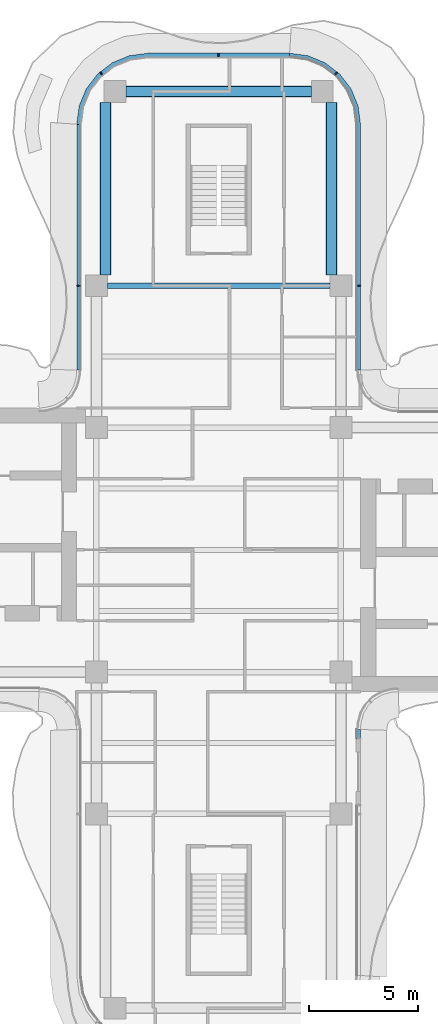
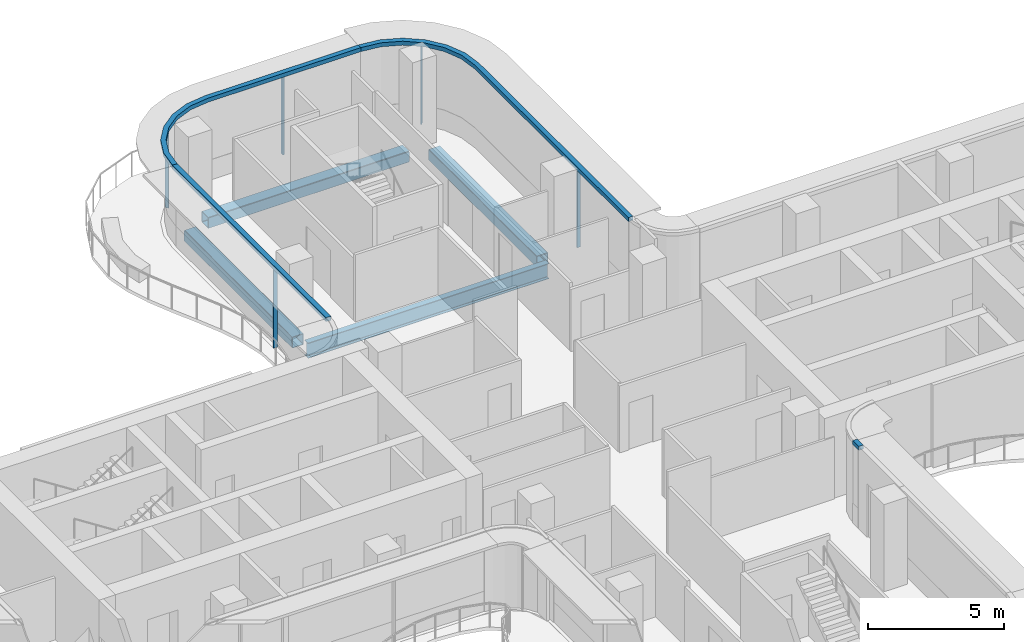
# One storey, part 7 of 17: 9 members, 4 beams, 4 elements without a shape of their own.
"""IFC4 building model written with IfcOpenShell, lengths in metres."""

import ifcopenshell
import ifcopenshell.guid

model = None  # the IFC model being written
_history = None  # IfcOwnerHistory: only IFC2X3 demands one
_inside = {}  # id of a spatial element -> (the spatial element, [elements in it])
_under = {}  # id of a project, library or spatial element -> (it, [spatial elements below it])
_declared = {}  # id of a project -> (the project, [libraries it declares])
_typed = {}  # id of a type object -> (the type object, [elements of that type])
_made_of = {}  # id of a material, layer set ... -> (it, [elements and type objects made of it])


def new_model(schema):
    """Start an empty IFC model of exactly this schema.

    Asked for "IFC4X3", IfcOpenShell would pick the latest addendum, in which some entities
    have other attributes; the version numbers below select the first issue.
    IFC2X3 requires an IfcOwnerHistory on every rooted entity: one is made here for all.
    """
    global model, _history
    if schema == "IFC4X3":
        model = ifcopenshell.file(schema_version=(4, 3, 0, 0))
    else:
        model = ifcopenshell.file(schema=schema)
    _inside.clear()
    _under.clear()
    _declared.clear()
    _typed.clear()
    _made_of.clear()
    _history = None
    if model.schema == "IFC2X3":
        org = make("IfcOrganization", Name="unknown")
        user = make(
            "IfcPersonAndOrganization",
            ThePerson=make("IfcPerson", FamilyName="unknown"),
            TheOrganization=org,
        )
        app = make(
            "IfcApplication",
            ApplicationDeveloper=org,
            Version="unknown",
            ApplicationFullName="unknown",
            ApplicationIdentifier="unknown",
        )
        _history = make(
            "IfcOwnerHistory",
            OwningUser=user,
            OwningApplication=app,
            ChangeAction="ADDED",
            CreationDate=0,
        )
    return model


def make(cls, **values):
    """One entity of the class cls with the attributes given. An attribute that is None is left unset."""
    return model.create_entity(
        cls, **{name: value for name, value in values.items() if value is not None}
    )


def rooted(cls, **values):
    """An entity with a GlobalId (a new one), such as an element, a storey or a relation."""
    return make(cls, GlobalId=ifcopenshell.guid.new(), OwnerHistory=_history, **values)


def si_unit(unit_type, name, prefix=None):
    """IfcSIUnit, for example si_unit("LENGTHUNIT", "METRE", prefix="MILLI")."""
    return make("IfcSIUnit", UnitType=unit_type, Prefix=prefix, Name=name)


def assignment(units):
    """IfcUnitAssignment: the units of a project."""
    return None if units is None else make("IfcUnitAssignment", Units=units)


def point(xyz):
    """IfcCartesianPoint."""
    return None if xyz is None else make("IfcCartesianPoint", Coordinates=xyz)


def direction(xyz):
    """IfcDirection."""
    return None if xyz is None else make("IfcDirection", DirectionRatios=xyz)


def frame(location, z_axis=None, x_axis=None):
    """IfcAxis2Placement3D, a coordinate frame: its origin and axes. An axis left out is left unset."""
    return make(
        "IfcAxis2Placement3D",
        Location=point(location),
        Axis=direction(z_axis),
        RefDirection=direction(x_axis),
    )


def frame_2d(location, x_axis=None):
    """IfcAxis2Placement2D, a coordinate frame in the plane: its origin and x axis."""
    return make(
        "IfcAxis2Placement2D", Location=point(location), RefDirection=direction(x_axis)
    )


def origin():
    """The frame at (0, 0, 0) with its axes left unset."""
    return frame((0.0, 0.0, 0.0))


def origin_2d():
    """The frame at (0, 0) in the plane with its x axis left unset."""
    return frame_2d((0.0, 0.0))


def place(relative_to, where):
    """IfcLocalPlacement: puts the frame where relative to a parent placement (None: the world)."""
    return make(
        "IfcLocalPlacement", PlacementRelTo=relative_to, RelativePlacement=where
    )


def context(
    kind, dimensions, precision=None, world=None, true_north=None, identifier=None
):
    """IfcGeometricRepresentationContext, for example the 3D "Model" context."""
    return make(
        "IfcGeometricRepresentationContext",
        ContextIdentifier=identifier,
        ContextType=kind,
        CoordinateSpaceDimension=dimensions,
        Precision=precision,
        WorldCoordinateSystem=world,
        TrueNorth=true_north,
    )


def subcontext(parent, identifier, kind, view, scale=None):
    """IfcGeometricRepresentationSubContext, for example "Body" below "Model"."""
    return make(
        "IfcGeometricRepresentationSubContext",
        ContextIdentifier=identifier,
        ContextType=kind,
        ParentContext=parent,
        TargetScale=scale,
        TargetView=view,
    )


def project(units=None, contexts=None):
    """IfcProject with its units and contexts."""
    return rooted(
        "IfcProject",
        Name="project",
        RepresentationContexts=contexts,
        UnitsInContext=assignment(units),
    )


def spatial(cls, under=None, at=None, **own):
    """A site, building, storey or space (cls), placed at a placement, below another one or the project."""
    s = rooted(cls, ObjectPlacement=at, **own)
    if under is not None:
        _under.setdefault(under.id(), (under, []))[1].append(s)
    return s


def polyline(points):
    """IfcPolyline through the points."""
    return make("IfcPolyline", Points=[point(p) for p in points])


def profile(cls, at=None, kind="AREA", **sizes):
    """A parametric profile (cls). Its sizes go by their IFC names, for example OverallWidth=200.0."""
    return make(cls, ProfileType=kind, Position=at, **sizes)


def rectangle(**sizes):
    """IfcRectangleProfileDef."""
    return profile("IfcRectangleProfileDef", **sizes)


def hollow_rectangle(**sizes):
    """IfcRectangleHollowProfileDef."""
    return profile("IfcRectangleHollowProfileDef", **sizes)


def i_section(**sizes):
    """IfcIShapeProfileDef."""
    return profile("IfcIShapeProfileDef", **sizes)


def outline(outer, holes=None, kind="AREA"):
    """IfcArbitraryClosedProfileDef: a profile drawn as a closed curve; with holes, ...WithVoids."""
    if holes is None:
        return make("IfcArbitraryClosedProfileDef", ProfileType=kind, OuterCurve=outer)
    return make(
        "IfcArbitraryProfileDefWithVoids",
        ProfileType=kind,
        OuterCurve=outer,
        InnerCurves=holes,
    )


def extrude(swept, where, along, depth):
    """IfcExtrudedAreaSolid: the profile swept, set in the frame where, extruded along a direction by depth."""
    return make(
        "IfcExtrudedAreaSolid",
        SweptArea=swept,
        Position=where,
        ExtrudedDirection=direction(along),
        Depth=depth,
    )


def shape(context_of_items, identifier, shape_type, items):
    """IfcShapeRepresentation: the items that make up one representation, for example the "Body"."""
    return make(
        "IfcShapeRepresentation",
        ContextOfItems=context_of_items,
        RepresentationIdentifier=identifier,
        RepresentationType=shape_type,
        Items=items,
    )


def source(mapping_origin, context_of_items, identifier, shape_type, items):
    """IfcRepresentationMap: a shape defined once, which mapped items show again and again."""
    return make(
        "IfcRepresentationMap",
        MappingOrigin=mapping_origin,
        MappedRepresentation=shape(context_of_items, identifier, shape_type, items),
    )


def transform(
    local_origin,
    x_axis=None,
    y_axis=None,
    z_axis=None,
    scale=None,
    scale2=None,
    scale3=None,
    uniform=True,
):
    """IfcCartesianTransformationOperator3D, or its non-uniform kind. x_axis, y_axis, z_axis: its Axis1, 2, 3."""
    if uniform:
        return make(
            "IfcCartesianTransformationOperator3D",
            Axis1=direction(x_axis),
            Axis2=direction(y_axis),
            LocalOrigin=point(local_origin),
            Scale=scale,
            Axis3=direction(z_axis),
        )
    return make(
        "IfcCartesianTransformationOperator3DnonUniform",
        Axis1=direction(x_axis),
        Axis2=direction(y_axis),
        LocalOrigin=point(local_origin),
        Scale=scale,
        Axis3=direction(z_axis),
        Scale2=scale2,
        Scale3=scale3,
    )


def mapped(mapping_source, mapping_target):
    """IfcMappedItem: shows the shape of a source again, moved by a transform."""
    return make(
        "IfcMappedItem", MappingSource=mapping_source, MappingTarget=mapping_target
    )


def material(Name=None, Category=None):
    """IfcMaterial."""
    return make("IfcMaterial", Name=Name, Category=Category)


def layer(
    of_material, thickness, ventilated=None, Name=None, Category=None, Priority=None
):
    """IfcMaterialLayer: one layer of a wall or slab, of a material (None: an air gap)."""
    return make(
        "IfcMaterialLayer",
        Material=of_material,
        LayerThickness=thickness,
        IsVentilated=ventilated,
        Name=Name,
        Category=Category,
        Priority=Priority,
    )


def layer_set(layers, Name=None):
    """IfcMaterialLayerSet."""
    return make("IfcMaterialLayerSet", MaterialLayers=layers, LayerSetName=Name)


def material_profile(
    of_material, cross_section, Name=None, Category=None, Priority=None
):
    """IfcMaterialProfile: a cross section and its material."""
    return make(
        "IfcMaterialProfile",
        Name=Name,
        Material=of_material,
        Profile=cross_section,
        Priority=Priority,
        Category=Category,
    )


def profile_set(profiles, Name=None, composite=None):
    """IfcMaterialProfileSet."""
    return make(
        "IfcMaterialProfileSet",
        Name=Name,
        MaterialProfiles=profiles,
        CompositeProfile=composite,
    )


def made_of(thing, what):
    """Note that an element or type object is made of a material, layer set ...; save() writes the relation."""
    if what is not None:
        _made_of.setdefault(what.id(), (what, []))[1].append(thing)
    return thing


def type_object(cls, material=None, **own):
    """A type object (cls), such as IfcWallType, which elements share."""
    return made_of(rooted(cls, **own), material)


def element(
    cls,
    number,
    at=None,
    inside=None,
    cuts=None,
    type_object=None,
    material=None,
    context=None,
    identifier="Body",
    shape_type=None,
    held_by="IfcProductDefinitionShape",
    body=None,
    shapes=None,
    **own,
):
    """One element of the class cls, such as IfcWall. Its Tag is "e" and its number.

    at: its placement. inside: the storey or other place that contains it. cuts: it is an
    opening in that element (IfcRelVoidsElement). A single representation is given by context,
    identifier, shape_type and body (its items); several are given by shapes. held_by: the class
    of the entity that holds the representations. save() writes the other relations.
    """
    e = rooted(cls, Tag="e%d" % number, ObjectPlacement=at, **own)
    if body is not None:
        shapes = [shape(context, identifier, shape_type, body)]
    if shapes is not None:
        e.Representation = make(held_by, Representations=shapes)
    if inside is not None:
        _inside.setdefault(inside.id(), (inside, []))[1].append(e)
    if cuts is not None:
        rooted(
            "IfcRelVoidsElement", RelatingBuildingElement=cuts, RelatedOpeningElement=e
        )
    if type_object is not None:
        _typed.setdefault(type_object.id(), (type_object, []))[1].append(e)
    return made_of(e, material)


def aggregate(whole, parts):
    """IfcRelAggregates: a whole, such as a stair, and the parts it consists of."""
    return rooted("IfcRelAggregates", RelatingObject=whole, RelatedObjects=parts)


def save(model, path):
    """Write the relations noted so far, then the file.

    IfcRelAggregates (storeys below a building ...), IfcRelContainedInSpatialStructure (elements
    in a storey), IfcRelDefinesByType, IfcRelAssociatesMaterial and IfcRelDeclares: one each for
    every whole, place, type object, material and project.
    """
    for whole, parts in _under.values():
        aggregate(whole, parts)
    for where, things in _inside.values():
        rooted(
            "IfcRelContainedInSpatialStructure",
            RelatedElements=things,
            RelatingStructure=where,
        )
    for kind, things in _typed.values():
        rooted("IfcRelDefinesByType", RelatedObjects=things, RelatingType=kind)
    for what, things in _made_of.values():
        rooted("IfcRelAssociatesMaterial", RelatedObjects=things, RelatingMaterial=what)
    for by, libraries in _declared.values():
        rooted("IfcRelDeclares", RelatingContext=by, RelatedDefinitions=libraries)
    model.write(path)


model = new_model("IFC4")

# Units and contexts
model_context = context("Model", 3, precision=1e-05, world=origin(), true_north=direction((0.0, 1.0)))
body_context = subcontext(model_context, "Body", "Model", "MODEL_VIEW")
ifc_project = project(units=[si_unit("LENGTHUNIT", "METRE"), si_unit("AREAUNIT", "SQUARE_METRE"), si_unit("VOLUMEUNIT", "CUBIC_METRE"), si_unit("PLANEANGLEUNIT", "RADIAN"), si_unit("MASSUNIT", "GRAM", prefix="KILO")], contexts=[model_context])

# Site, building, storey
site_placement = place(None, origin())
site = spatial("IfcSite", under=ifc_project, at=site_placement, CompositionType="ELEMENT")
building_placement = place(site_placement, origin())
building = spatial("IfcBuilding", under=site, at=building_placement, Name="Trellis Farm Tower", CompositionType="ELEMENT")
storey_placement = place(building_placement, frame((0.0, 0.0, 279.39990234375)))
storey = spatial("IfcBuildingStorey", under=building, at=storey_placement, Name="L62", CompositionType="ELEMENT", Elevation=279.39990234375)

# Curtain wall, member
ifc_material_1 = material(Name="Aluminium and glass curtain wall", Category="aluminium")
ifc_layer_1 = layer(ifc_material_1, 0.18994140625)
ifc_layer_set_1 = layer_set([ifc_layer_1], Name="RIBBON CURTAIN WALL CW1")
curtain_wall_type = type_object("IfcCurtainWallType", Name="RIBBON CURTAIN WALL CW1", PredefinedType="NOTDEFINED", material=ifc_layer_set_1)
placement_1 = place(storey_placement, origin())
curtain_wall_1 = element("IfcCurtainWall", 1, at=placement_1, inside=storey, type_object=curtain_wall_type, Name="CW1 005", PredefinedType="NOTDEFINED")
ifc_material_2 = material(Name="Aluminium extrusion 6063-T6", Category="aluminium")
ifc_layer_2 = layer(ifc_material_2, 0.199951171875)
ifc_layer_set_2 = layer_set([ifc_layer_2], Name="Aluminium extrusion 6063-T6")
member_type_1 = type_object("IfcMemberType", Name="CW1 TRANSOM 200x180", PredefinedType="USERDEFINED", material=ifc_layer_set_2)
placement_2 = place(storey_placement, frame((0.0, 0.0, 3.52001953125)))
member_1 = element("IfcMember", 2, at=placement_2, type_object=member_type_1, Name="TR1 005", ObjectType="TRANSOM", PredefinedType="USERDEFINED", context=body_context, shape_type="SweptSolid", body=[
    extrude(outline(polyline([(6.5, -8.665771484375), (6.5, -8.2314453125), (6.300048828125, -8.224853515625), (6.300048828125, -8.665771484375), (6.5, -8.665771484375)])), origin(), (0.0, 0.0, 1.0), 0.18017578125),
])
aggregate(curtain_wall_1, [member_1])

# Beams
ifc_material_3 = material(Name="Steel S355", Category="steel")
ifc_material_profile_1 = material_profile(ifc_material_3, i_section(OverallWidth=0.253662109375, OverallDepth=0.68359375, WebThickness=0.012451171875, FlangeThickness=0.021728515625, FilletRadius=0.01513671875, at=origin_2d()), Name="UB 686x254x140")
ifc_profile_set_1 = profile_set([ifc_material_profile_1], Name="Steel S355")
beam_type_1 = type_object("IfcBeamType", Name="UB 686x254x140", PredefinedType="BEAM", material=ifc_profile_set_1)
shared_shape_1 = source(origin(), body_context, "Body", "SweptSolid", [
    extrude(i_section(OverallWidth=0.253662109375, OverallDepth=0.68359375, WebThickness=0.012451171875, FlangeThickness=0.021728515625, FilletRadius=0.01513671875, at=origin_2d()), origin(), (0.0, 0.0, 1.0), 10.2001953125),
])
beam_1_placement = place(storey_placement, frame((-5.10009765625, 12.10009765625, -0.541748046875), z_axis=(1.0, 0.0, 0.0), x_axis=(0.0, 1.0, 0.0)))
element("IfcBeam", 3, at=beam_1_placement, inside=storey, type_object=beam_type_1, Name="Girder", PredefinedType="BEAM", context=body_context, shape_type="MappedRepresentation", body=[
    mapped(shared_shape_1, transform((0.0, 0.0, 0.0))),
])
ifc_material_profile_2 = material_profile(ifc_material_3, hollow_rectangle(XDim=0.5, YDim=0.5, WallThickness=0.02490234375, InnerFilletRadius=0.02490234375, OuterFilletRadius=0.03759765625, at=origin_2d()), Name="SHS 500x500x25")
ifc_profile_set_2 = profile_set([ifc_material_profile_2], Name="Steel S355")
beam_type_2 = type_object("IfcBeamType", Name="SHS 500x500x25", PredefinedType="BEAM", material=ifc_profile_set_2)
shared_shape_2 = source(origin(), body_context, "Body", "SweptSolid", [
    extrude(hollow_rectangle(XDim=0.5, YDim=0.5, WallThickness=0.02490234375, InnerFilletRadius=0.02490234375, OuterFilletRadius=0.03759765625, at=origin_2d()), origin(), (0.0, 0.0, 1.0), 8.5),
])
beam_2_placement = place(storey_placement, frame((-4.25, 21.0, -0.449951171875), z_axis=(1.0, 0.0, 0.0), x_axis=(0.0, 1.0, 0.0)))
element("IfcBeam", 4, at=beam_2_placement, inside=storey, type_object=beam_type_2, Name="Girder", PredefinedType="BEAM", context=body_context, shape_type="MappedRepresentation", body=[
    mapped(shared_shape_2, transform((0.0, 0.0, 0.0))),
])
shared_shape_3 = source(origin(), body_context, "Body", "SweptSolid", [
    extrude(hollow_rectangle(XDim=0.5, YDim=0.5, WallThickness=0.02490234375, InnerFilletRadius=0.02490234375, OuterFilletRadius=0.03759765625, at=origin_2d()), origin(), (0.0, 0.0, 1.0), 7.89990234375),
])
for number, where, z_axis, x_axis, name in (
    (5, (-5.175048828125, 12.60009765625, -0.449951171875), (0.0, 1.0, 0.0), (-1.0, 0.0, 0.0), "Girder"),
    (6, (5.175048828125, 12.60009765625, -0.449951171875), (0.0, 1.0, 0.0), (-1.0, 0.0, 0.0), "Girder"),
):
    element("IfcBeam", number, at=place(storey_placement, frame(where, z_axis=z_axis, x_axis=x_axis)), inside=storey, type_object=beam_type_2, Name=name, PredefinedType="BEAM", context=body_context, shape_type="MappedRepresentation", body=[
        mapped(shared_shape_3, transform((0.0, 0.0, 0.0))),
    ])

# Curtain wall, members
curtain_wall_2 = element("IfcCurtainWall", 7, at=placement_1, inside=storey, type_object=curtain_wall_type, Name="CW1 009", PredefinedType="NOTDEFINED")
ifc_material_profile_3 = material_profile(ifc_material_2, rectangle(XDim=0.06005859375, YDim=0.14990234375, at=origin_2d()), Name="MULLION 60x150")
ifc_profile_set_3 = profile_set([ifc_material_profile_3], Name="Aluminium extrusion 6063-T6")
member_type_2 = type_object("IfcMemberType", Name="CW1 MULLION 60x150", PredefinedType="MULLION", material=ifc_profile_set_3)
shared_shape_4 = source(origin(), body_context, "Body", "SweptSolid", [
    extrude(rectangle(XDim=0.06005859375, YDim=0.14990234375, at=origin_2d()), origin(), (0.0, 0.0, 1.0), 3.52001953125),
])
member_2_placement = place(storey_placement, frame((6.425048828125, 12.10009765625, 0.0), z_axis=(0.0, 0.0, 1.0), x_axis=(0.0, 1.0, 0.0)))
member_2 = element("IfcMember", 8, at=member_2_placement, type_object=member_type_2, Name="MU1 009-01", PredefinedType="MULLION", context=body_context, shape_type="MappedRepresentation", body=[
    mapped(shared_shape_4, transform((0.0, 0.0, 0.0))),
])
member_3_placement = place(storey_placement, frame((5.385498046875, 21.828369140625, 0.0), z_axis=(0.0, 0.0, 1.0), x_axis=(-0.793353340291, 0.608761429009, 0.0)))
member_3 = element("IfcMember", 9, at=member_3_placement, type_object=member_type_2, Name="MU1 009-02", PredefinedType="MULLION", context=body_context, shape_type="MappedRepresentation", body=[
    mapped(shared_shape_4, transform((0.0, 0.0, 0.0))),
])

curtain_wall_3 = element("IfcCurtainWall", 10, at=placement_1, inside=storey, type_object=curtain_wall_type, Name="CW1 010", PredefinedType="NOTDEFINED")
member_4_placement = place(storey_placement, frame((0.0, 22.675048828125, 0.0), z_axis=(0.0, 0.0, 1.0), x_axis=(-1.0, 0.0, 0.0)))
member_4 = element("IfcMember", 11, at=member_4_placement, type_object=member_type_2, Name="MU1 010-01", PredefinedType="MULLION", context=body_context, shape_type="MappedRepresentation", body=[
    mapped(shared_shape_4, transform((0.0, 0.0, 0.0))),
])
member_5_placement = place(storey_placement, frame((-5.385498046875, 21.828369140625, 0.0), z_axis=(0.0, 0.0, 1.0), x_axis=(-0.793353340291, -0.608761429009, 0.0)))
member_5 = element("IfcMember", 12, at=member_5_placement, type_object=member_type_2, Name="MU1 010-02", PredefinedType="MULLION", context=body_context, shape_type="MappedRepresentation", body=[
    mapped(shared_shape_4, transform((0.0, 0.0, 0.0))),
])

# Curtain wall, member
curtain_wall_4 = element("IfcCurtainWall", 13, at=placement_1, inside=storey, type_object=curtain_wall_type, Name="CW1 011", PredefinedType="NOTDEFINED")
member_6_placement = place(storey_placement, frame((-6.425048828125, 12.10009765625, 0.0), z_axis=(0.0, 0.0, 1.0), x_axis=(0.0, -1.0, 0.0)))
member_6 = element("IfcMember", 14, at=member_6_placement, type_object=member_type_2, Name="MU1 011-01", PredefinedType="MULLION", context=body_context, shape_type="MappedRepresentation", body=[
    mapped(shared_shape_4, transform((0.0, 0.0, 0.0))),
])

# Member
shared_shape_5 = source(origin(), body_context, "Body", "SweptSolid", [
    extrude(outline(polyline([(6.5, 8.2314453125), (6.5, 19.5), (6.38916015625, 20.341064453125), (6.064697265625, 21.125), (5.548095703125, 21.798095703125), (4.875, 22.314697265625), (4.091064453125, 22.63916015625), (3.25, 22.75), (3.23681640625, 22.550048828125), (4.0390625, 22.4443359375), (4.774169921875, 22.139892578125), (5.405517578125, 21.655517578125), (5.889892578125, 21.024169921875), (6.1943359375, 20.2890625), (6.300048828125, 19.48681640625), (6.300048828125, 8.224853515625), (6.5, 8.2314453125)])), origin(), (0.0, 0.0, 1.0), 0.18017578125),
])
member_7 = element("IfcMember", 15, at=placement_2, type_object=member_type_1, Name="TR1 009", ObjectType="TRANSOM", PredefinedType="USERDEFINED", context=body_context, shape_type="MappedRepresentation", body=[
    mapped(shared_shape_5, transform((0.0, 0.0, 0.0))),
])

aggregate(curtain_wall_2, [member_2, member_3, member_7])

shared_shape_6 = source(origin(), body_context, "Body", "SweptSolid", [
    extrude(outline(polyline([(-6.5, 19.5), (-6.5, 8.2314453125), (-6.300048828125, 8.224853515625), (-6.300048828125, 19.48681640625), (-6.5, 19.5)])), origin(), (0.0, 0.0, 1.0), 0.18017578125),
])
member_8 = element("IfcMember", 16, at=placement_2, type_object=member_type_1, Name="TR1 011", ObjectType="TRANSOM", PredefinedType="USERDEFINED", context=body_context, shape_type="MappedRepresentation", body=[
    mapped(shared_shape_6, transform((0.0, 0.0, 0.0))),
])

aggregate(curtain_wall_4, [member_6, member_8])

shared_shape_7 = source(origin(), body_context, "Body", "SweptSolid", [
    extrude(outline(polyline([(3.25, 22.75), (-3.25, 22.75), (-4.091064453125, 22.63916015625), (-4.875, 22.314697265625), (-5.548095703125, 21.798095703125), (-6.064697265625, 21.125), (-6.38916015625, 20.341064453125), (-6.5, 19.5), (-6.300048828125, 19.48681640625), (-6.1943359375, 20.2890625), (-5.889892578125, 21.024169921875), (-5.405517578125, 21.655517578125), (-4.774169921875, 22.139892578125), (-4.0390625, 22.4443359375), (-3.23681640625, 22.550048828125), (3.23681640625, 22.550048828125), (3.25, 22.75)])), origin(), (0.0, 0.0, 1.0), 0.18017578125),
])
member_9 = element("IfcMember", 17, at=placement_2, type_object=member_type_1, Name="TR1 010", ObjectType="TRANSOM", PredefinedType="USERDEFINED", context=body_context, shape_type="MappedRepresentation", body=[
    mapped(shared_shape_7, transform((0.0, 0.0, 0.0))),
])

aggregate(curtain_wall_3, [member_4, member_5, member_9])

save(model, "model.ifc")
